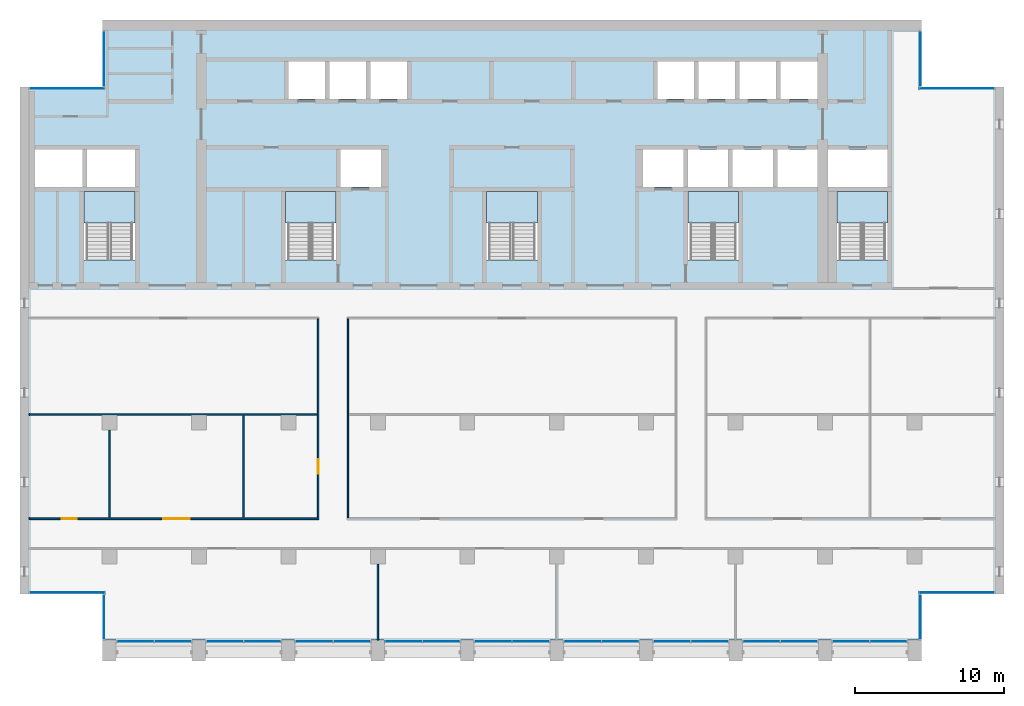
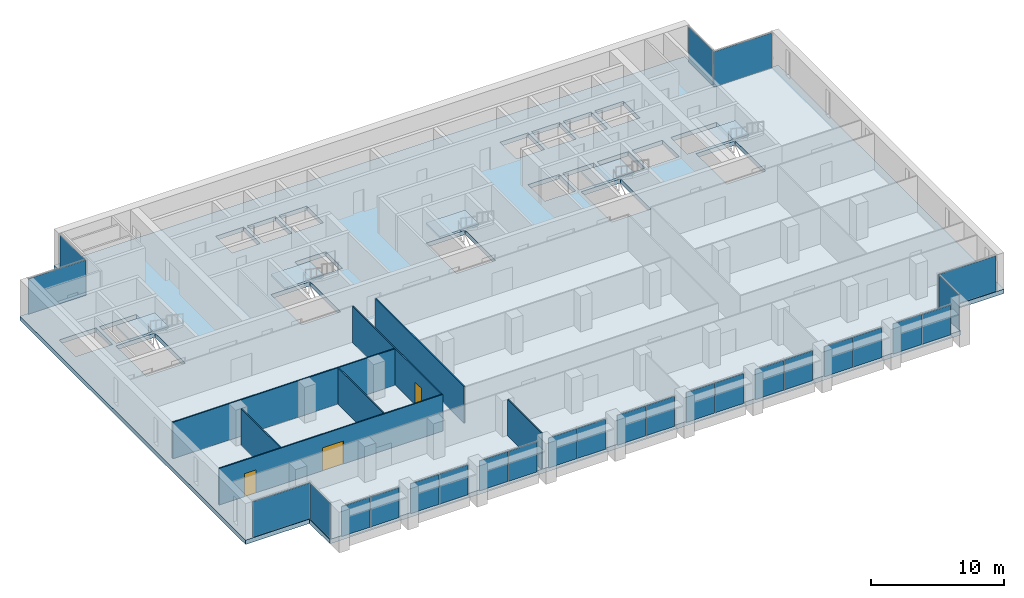
# One storey, part 7 of 17: 26 plates, 7 walls, 6 slabs, 3 doors, 3 openings, 22 elements without a shape of their own.
"""IFC4 building model written with IfcOpenShell, lengths in metres."""

from ifc_helpers import new_model, si_unit, direction, frame, frame_2d, origin, origin_2d, place, context, subcontext, project, spatial, polyline, rectangle, outline, extrude, material, layer, layer_set, type_object, element, fill, aggregate, save


model = new_model("IFC4")

# Units and contexts
model_context = context("Model", 3, precision=1e-05, world=origin(), true_north=direction((0.0, 1.0)))
body_context = subcontext(model_context, "Body", "Model", "MODEL_VIEW")
ifc_project = project(units=[si_unit("LENGTHUNIT", "METRE"), si_unit("AREAUNIT", "SQUARE_METRE"), si_unit("VOLUMEUNIT", "CUBIC_METRE"), si_unit("PLANEANGLEUNIT", "RADIAN"), si_unit("MASSUNIT", "GRAM", prefix="KILO")], contexts=[model_context])

# Site, building, storey
site_placement = place(None, origin())
site = spatial("IfcSite", under=ifc_project, at=site_placement, CompositionType="ELEMENT")
building_placement = place(site_placement, origin())
building = spatial("IfcBuilding", under=site, at=building_placement, Name="Calvaro Tower", CompositionType="ELEMENT")
storey_placement = place(building_placement, frame((0.0, 0.0, 211.75)))
storey = spatial("IfcBuildingStorey", under=building, at=storey_placement, Name="L53", CompositionType="ELEMENT", Elevation=211.75)

# Slab
ifc_material_1 = material(Name="Concrete C40/50", Category="concrete")
ifc_layer_1 = layer(ifc_material_1, 0.39990234375)
ifc_layer_set_1 = layer_set([ifc_layer_1], Name="Concrete C40/50")
slab_type_1 = type_object("IfcSlabType", Name="Floor slab 400 C40/50", PredefinedType="FLOOR", material=ifc_layer_set_1)
slab_1_placement = place(storey_placement, frame((0.0, 0.0, -0.39990234375)))
element("IfcSlab", 1, at=slab_1_placement, inside=storey, type_object=slab_type_1, Name="Floor slab", PredefinedType="FLOOR", context=body_context, shape_type="SweptSolid", body=[
    extrude(outline(polyline([(66.449951171875, 7.5), (66.449951171875, 4.39990234375), (11.550048828125, 4.39990234375), (11.550048828125, 7.5), (6.0, 7.5), (6.0, 41.5), (11.550048828125, 41.5), (11.550048828125, 46.0), (66.449951171875, 46.0), (66.449951171875, 41.5), (72.0, 41.5), (72.0, 7.5), (66.449951171875, 7.5)]), holes=[polyline([(10.300048828125, 29.909912109375), (10.300048828125, 34.5), (12.0, 34.5), (13.699951171875, 34.5), (13.699951171875, 29.909912109375), (12.0, 29.909912109375), (10.300048828125, 29.909912109375)]), polyline([(23.800048828125, 29.909912109375), (23.800048828125, 34.5), (25.5, 34.5), (27.199951171875, 34.5), (27.199951171875, 29.909912109375), (25.5, 29.909912109375), (23.800048828125, 29.909912109375)]), polyline([(37.300048828125, 29.909912109375), (37.300048828125, 34.5), (39.0, 34.5), (40.699951171875, 34.5), (40.699951171875, 29.909912109375), (39.0, 29.909912109375), (37.300048828125, 29.909912109375)]), polyline([(50.800048828125, 29.909912109375), (50.800048828125, 34.5), (52.5, 34.5), (54.199951171875, 34.5), (54.199951171875, 29.909912109375), (52.5, 29.909912109375), (50.800048828125, 29.909912109375)]), polyline([(60.800048828125, 29.909912109375), (60.800048828125, 34.5), (62.5, 34.5), (64.199951171875, 34.5), (64.199951171875, 29.909912109375), (62.5, 29.909912109375), (60.800048828125, 29.909912109375)]), polyline([(50.800048828125, 34.800048828125), (53.5, 34.800048828125), (53.5, 37.300048828125), (50.800048828125, 37.300048828125), (50.800048828125, 34.800048828125)]), polyline([(53.800048828125, 34.800048828125), (56.5, 34.800048828125), (56.5, 37.300048828125), (53.800048828125, 37.300048828125), (53.800048828125, 34.800048828125)]), polyline([(56.800048828125, 34.800048828125), (59.5, 34.800048828125), (59.5, 37.300048828125), (56.800048828125, 37.300048828125), (56.800048828125, 34.800048828125)]), polyline([(24.0, 40.699951171875), (26.449951171875, 40.699951171875), (26.449951171875, 43.199951171875), (24.0, 43.199951171875), (24.0, 40.699951171875)]), polyline([(26.75, 40.699951171875), (29.199951171875, 40.699951171875), (29.199951171875, 43.199951171875), (26.75, 43.199951171875), (26.75, 40.699951171875)]), polyline([(29.5, 40.699951171875), (31.949951171875, 40.699951171875), (31.949951171875, 43.199951171875), (29.5, 43.199951171875), (29.5, 40.699951171875)]), polyline([(48.75, 40.699951171875), (51.199951171875, 40.699951171875), (51.199951171875, 43.199951171875), (48.75, 43.199951171875), (48.75, 40.699951171875)]), polyline([(51.5, 40.699951171875), (53.949951171875, 40.699951171875), (53.949951171875, 43.199951171875), (51.5, 43.199951171875), (51.5, 40.699951171875)]), polyline([(54.25, 40.699951171875), (56.699951171875, 40.699951171875), (56.699951171875, 43.199951171875), (54.25, 43.199951171875), (54.25, 40.699951171875)]), polyline([(57.0, 40.699951171875), (59.5, 40.699951171875), (59.5, 43.199951171875), (57.0, 43.199951171875), (57.0, 40.699951171875)]), polyline([(7.0, 34.800048828125), (10.199951171875, 34.800048828125), (10.199951171875, 37.300048828125), (7.0, 37.300048828125), (7.0, 34.800048828125)]), polyline([(10.5, 34.800048828125), (13.699951171875, 34.800048828125), (13.699951171875, 37.300048828125), (10.5, 37.300048828125), (10.5, 34.800048828125)]), polyline([(60.199951171875, 34.800048828125), (64.199951171875, 34.800048828125), (64.199951171875, 37.300048828125), (60.199951171875, 37.300048828125), (60.199951171875, 34.800048828125)]), polyline([(27.5, 34.800048828125), (30.199951171875, 34.800048828125), (30.199951171875, 37.300048828125), (27.5, 37.300048828125), (27.5, 34.800048828125)]), polyline([(47.800048828125, 34.800048828125), (50.5, 34.800048828125), (50.5, 37.300048828125), (47.800048828125, 37.300048828125), (47.800048828125, 34.800048828125)])]), origin(), (0.0, 0.0, 1.0), 0.39990234375),
])

# Curtain wall, plates
ifc_material_2 = material(Name="Anodised aluminium", Category="aluminium")
curtain_wall_type = type_object("IfcCurtainWallType", Name="Office curtain wall, upper zone", PredefinedType="NOTDEFINED", material=ifc_material_2)
curtain_wall_1_placement = place(storey_placement, origin())
curtain_wall_1 = element("IfcCurtainWall", 2, at=curtain_wall_1_placement, inside=storey, type_object=curtain_wall_type, Name="CW3 south curtain wall", PredefinedType="NOTDEFINED")
ifc_material_3 = material(Name="Glass", Category="glass")
ifc_layer_2 = layer(ifc_material_3, 0.035888671875)
ifc_layer_set_2 = layer_set([ifc_layer_2], Name="Glass")
plate_type = type_object("IfcPlateType", Name="Glass panel S3 36", PredefinedType="CURTAIN_PANEL", material=ifc_layer_set_2)
plate_1_placement = place(storey_placement, frame((13.739990234375, 4.31005859375, 0.0), z_axis=(0.0, 0.0, 1.0), x_axis=(1.0, 0.0, 0.0)))
plate_1 = element("IfcPlate", 3, at=plate_1_placement, type_object=plate_type, Name="CW3 glass panel 1.1", PredefinedType="CURTAIN_PANEL", context=body_context, shape_type="SweptSolid", body=[
    extrude(rectangle(XDim=2.4599609375, YDim=0.035888671875, at=origin_2d()), origin(), (0.0, 0.0, 1.0), 2.75),
])
plate_2_placement = place(storey_placement, frame((16.260009765625, 4.31005859375, 0.0), z_axis=(0.0, 0.0, 1.0), x_axis=(1.0, 0.0, 0.0)))
plate_2 = element("IfcPlate", 4, at=plate_2_placement, type_object=plate_type, Name="CW3 glass panel 2.1", PredefinedType="CURTAIN_PANEL", context=body_context, shape_type="SweptSolid", body=[
    extrude(rectangle(XDim=2.4599609375, YDim=0.035888671875, at=origin_2d()), origin(), (0.0, 0.0, 1.0), 2.75),
])
aggregate(curtain_wall_1, [plate_1, plate_2])

curtain_wall_2_placement = place(storey_placement, origin())
curtain_wall_2 = element("IfcCurtainWall", 5, at=curtain_wall_2_placement, inside=storey, type_object=curtain_wall_type, Name="CW3 south curtain wall", PredefinedType="NOTDEFINED")
plate_3_placement = place(storey_placement, frame((19.739990234375, 4.31005859375, 0.0), z_axis=(0.0, 0.0, 1.0), x_axis=(1.0, 0.0, 0.0)))
plate_3 = element("IfcPlate", 6, at=plate_3_placement, type_object=plate_type, Name="CW3 glass panel 1.1", PredefinedType="CURTAIN_PANEL", context=body_context, shape_type="SweptSolid", body=[
    extrude(rectangle(XDim=2.4599609375, YDim=0.035888671875, at=origin_2d()), origin(), (0.0, 0.0, 1.0), 2.75),
])
plate_4_placement = place(storey_placement, frame((22.260009765625, 4.31005859375, 0.0), z_axis=(0.0, 0.0, 1.0), x_axis=(1.0, 0.0, 0.0)))
plate_4 = element("IfcPlate", 7, at=plate_4_placement, type_object=plate_type, Name="CW3 glass panel 2.1", PredefinedType="CURTAIN_PANEL", context=body_context, shape_type="SweptSolid", body=[
    extrude(rectangle(XDim=2.4599609375, YDim=0.035888671875, at=origin_2d()), origin(), (0.0, 0.0, 1.0), 2.75),
])
aggregate(curtain_wall_2, [plate_3, plate_4])

curtain_wall_3_placement = place(storey_placement, origin())
curtain_wall_3 = element("IfcCurtainWall", 8, at=curtain_wall_3_placement, inside=storey, type_object=curtain_wall_type, Name="CW3 south curtain wall", PredefinedType="NOTDEFINED")
plate_5_placement = place(storey_placement, frame((25.739990234375, 4.31005859375, 0.0), z_axis=(0.0, 0.0, 1.0), x_axis=(1.0, 0.0, 0.0)))
plate_5 = element("IfcPlate", 9, at=plate_5_placement, type_object=plate_type, Name="CW3 glass panel 1.1", PredefinedType="CURTAIN_PANEL", context=body_context, shape_type="SweptSolid", body=[
    extrude(rectangle(XDim=2.4599609375, YDim=0.035888671875, at=origin_2d()), origin(), (0.0, 0.0, 1.0), 2.75),
])
plate_6_placement = place(storey_placement, frame((28.260009765625, 4.31005859375, 0.0), z_axis=(0.0, 0.0, 1.0), x_axis=(1.0, 0.0, 0.0)))
plate_6 = element("IfcPlate", 10, at=plate_6_placement, type_object=plate_type, Name="CW3 glass panel 2.1", PredefinedType="CURTAIN_PANEL", context=body_context, shape_type="SweptSolid", body=[
    extrude(rectangle(XDim=2.4599609375, YDim=0.035888671875, at=origin_2d()), origin(), (0.0, 0.0, 1.0), 2.75),
])
aggregate(curtain_wall_3, [plate_5, plate_6])

curtain_wall_4_placement = place(storey_placement, origin())
curtain_wall_4 = element("IfcCurtainWall", 11, at=curtain_wall_4_placement, inside=storey, type_object=curtain_wall_type, Name="CW3 south curtain wall", PredefinedType="NOTDEFINED")
plate_7_placement = place(storey_placement, frame((31.739990234375, 4.31005859375, 0.0), z_axis=(0.0, 0.0, 1.0), x_axis=(1.0, 0.0, 0.0)))
plate_7 = element("IfcPlate", 12, at=plate_7_placement, type_object=plate_type, Name="CW3 glass panel 1.1", PredefinedType="CURTAIN_PANEL", context=body_context, shape_type="SweptSolid", body=[
    extrude(rectangle(XDim=2.4599609375, YDim=0.035888671875, at=origin_2d()), origin(), (0.0, 0.0, 1.0), 2.75),
])
plate_8_placement = place(storey_placement, frame((34.260009765625, 4.31005859375, 0.0), z_axis=(0.0, 0.0, 1.0), x_axis=(1.0, 0.0, 0.0)))
plate_8 = element("IfcPlate", 13, at=plate_8_placement, type_object=plate_type, Name="CW3 glass panel 2.1", PredefinedType="CURTAIN_PANEL", context=body_context, shape_type="SweptSolid", body=[
    extrude(rectangle(XDim=2.4599609375, YDim=0.035888671875, at=origin_2d()), origin(), (0.0, 0.0, 1.0), 2.75),
])
aggregate(curtain_wall_4, [plate_7, plate_8])

curtain_wall_5_placement = place(storey_placement, origin())
curtain_wall_5 = element("IfcCurtainWall", 14, at=curtain_wall_5_placement, inside=storey, type_object=curtain_wall_type, Name="CW3 south curtain wall", PredefinedType="NOTDEFINED")
plate_9_placement = place(storey_placement, frame((37.739990234375, 4.31005859375, 0.0), z_axis=(0.0, 0.0, 1.0), x_axis=(1.0, 0.0, 0.0)))
plate_9 = element("IfcPlate", 15, at=plate_9_placement, type_object=plate_type, Name="CW3 glass panel 1.1", PredefinedType="CURTAIN_PANEL", context=body_context, shape_type="SweptSolid", body=[
    extrude(rectangle(XDim=2.4599609375, YDim=0.035888671875, at=origin_2d()), origin(), (0.0, 0.0, 1.0), 2.75),
])
plate_10_placement = place(storey_placement, frame((40.260009765625, 4.31005859375, 0.0), z_axis=(0.0, 0.0, 1.0), x_axis=(1.0, 0.0, 0.0)))
plate_10 = element("IfcPlate", 16, at=plate_10_placement, type_object=plate_type, Name="CW3 glass panel 2.1", PredefinedType="CURTAIN_PANEL", context=body_context, shape_type="SweptSolid", body=[
    extrude(rectangle(XDim=2.4599609375, YDim=0.035888671875, at=origin_2d()), origin(), (0.0, 0.0, 1.0), 2.75),
])
aggregate(curtain_wall_5, [plate_9, plate_10])

curtain_wall_6_placement = place(storey_placement, origin())
curtain_wall_6 = element("IfcCurtainWall", 17, at=curtain_wall_6_placement, inside=storey, type_object=curtain_wall_type, Name="CW3 south curtain wall", PredefinedType="NOTDEFINED")
plate_11_placement = place(storey_placement, frame((43.739990234375, 4.31005859375, 0.0), z_axis=(0.0, 0.0, 1.0), x_axis=(1.0, 0.0, 0.0)))
plate_11 = element("IfcPlate", 18, at=plate_11_placement, type_object=plate_type, Name="CW3 glass panel 1.1", PredefinedType="CURTAIN_PANEL", context=body_context, shape_type="SweptSolid", body=[
    extrude(rectangle(XDim=2.4599609375, YDim=0.035888671875, at=origin_2d()), origin(), (0.0, 0.0, 1.0), 2.75),
])
plate_12_placement = place(storey_placement, frame((46.260009765625, 4.31005859375, 0.0), z_axis=(0.0, 0.0, 1.0), x_axis=(1.0, 0.0, 0.0)))
plate_12 = element("IfcPlate", 19, at=plate_12_placement, type_object=plate_type, Name="CW3 glass panel 2.1", PredefinedType="CURTAIN_PANEL", context=body_context, shape_type="SweptSolid", body=[
    extrude(rectangle(XDim=2.4599609375, YDim=0.035888671875, at=origin_2d()), origin(), (0.0, 0.0, 1.0), 2.75),
])
aggregate(curtain_wall_6, [plate_11, plate_12])

curtain_wall_7_placement = place(storey_placement, origin())
curtain_wall_7 = element("IfcCurtainWall", 20, at=curtain_wall_7_placement, inside=storey, type_object=curtain_wall_type, Name="CW3 south curtain wall", PredefinedType="NOTDEFINED")
plate_13_placement = place(storey_placement, frame((49.739990234375, 4.31005859375, 0.0), z_axis=(0.0, 0.0, 1.0), x_axis=(1.0, 0.0, 0.0)))
plate_13 = element("IfcPlate", 21, at=plate_13_placement, type_object=plate_type, Name="CW3 glass panel 1.1", PredefinedType="CURTAIN_PANEL", context=body_context, shape_type="SweptSolid", body=[
    extrude(rectangle(XDim=2.4599609375, YDim=0.035888671875, at=origin_2d()), origin(), (0.0, 0.0, 1.0), 2.75),
])
plate_14_placement = place(storey_placement, frame((52.260009765625, 4.31005859375, 0.0), z_axis=(0.0, 0.0, 1.0), x_axis=(1.0, 0.0, 0.0)))
plate_14 = element("IfcPlate", 22, at=plate_14_placement, type_object=plate_type, Name="CW3 glass panel 2.1", PredefinedType="CURTAIN_PANEL", context=body_context, shape_type="SweptSolid", body=[
    extrude(rectangle(XDim=2.4599609375, YDim=0.035888671875, at=origin_2d()), origin(), (0.0, 0.0, 1.0), 2.75),
])
aggregate(curtain_wall_7, [plate_13, plate_14])

curtain_wall_8_placement = place(storey_placement, origin())
curtain_wall_8 = element("IfcCurtainWall", 23, at=curtain_wall_8_placement, inside=storey, type_object=curtain_wall_type, Name="CW3 south curtain wall", PredefinedType="NOTDEFINED")
plate_15_placement = place(storey_placement, frame((55.739990234375, 4.31005859375, 0.0), z_axis=(0.0, 0.0, 1.0), x_axis=(1.0, 0.0, 0.0)))
plate_15 = element("IfcPlate", 24, at=plate_15_placement, type_object=plate_type, Name="CW3 glass panel 1.1", PredefinedType="CURTAIN_PANEL", context=body_context, shape_type="SweptSolid", body=[
    extrude(rectangle(XDim=2.4599609375, YDim=0.035888671875, at=origin_2d()), origin(), (0.0, 0.0, 1.0), 2.75),
])
plate_16_placement = place(storey_placement, frame((58.260009765625, 4.31005859375, 0.0), z_axis=(0.0, 0.0, 1.0), x_axis=(1.0, 0.0, 0.0)))
plate_16 = element("IfcPlate", 25, at=plate_16_placement, type_object=plate_type, Name="CW3 glass panel 2.1", PredefinedType="CURTAIN_PANEL", context=body_context, shape_type="SweptSolid", body=[
    extrude(rectangle(XDim=2.4599609375, YDim=0.035888671875, at=origin_2d()), origin(), (0.0, 0.0, 1.0), 2.75),
])
aggregate(curtain_wall_8, [plate_15, plate_16])

curtain_wall_9_placement = place(storey_placement, origin())
curtain_wall_9 = element("IfcCurtainWall", 26, at=curtain_wall_9_placement, inside=storey, type_object=curtain_wall_type, Name="CW3 south curtain wall", PredefinedType="NOTDEFINED")
plate_17_placement = place(storey_placement, frame((61.739990234375, 4.31005859375, 0.0), z_axis=(0.0, 0.0, 1.0), x_axis=(1.0, 0.0, 0.0)))
plate_17 = element("IfcPlate", 27, at=plate_17_placement, type_object=plate_type, Name="CW3 glass panel 1.1", PredefinedType="CURTAIN_PANEL", context=body_context, shape_type="SweptSolid", body=[
    extrude(rectangle(XDim=2.4599609375, YDim=0.035888671875, at=origin_2d()), origin(), (0.0, 0.0, 1.0), 2.75),
])
plate_18_placement = place(storey_placement, frame((64.260009765625, 4.31005859375, 0.0), z_axis=(0.0, 0.0, 1.0), x_axis=(1.0, 0.0, 0.0)))
plate_18 = element("IfcPlate", 28, at=plate_18_placement, type_object=plate_type, Name="CW3 glass panel 2.1", PredefinedType="CURTAIN_PANEL", context=body_context, shape_type="SweptSolid", body=[
    extrude(rectangle(XDim=2.4599609375, YDim=0.035888671875, at=origin_2d()), origin(), (0.0, 0.0, 1.0), 2.75),
])
aggregate(curtain_wall_9, [plate_17, plate_18])

# Curtain wall, plate
curtain_wall_10_placement = place(storey_placement, origin())
curtain_wall_10 = element("IfcCurtainWall", 29, at=curtain_wall_10_placement, inside=storey, type_object=curtain_wall_type, Name="CW3 corner curtain wall", PredefinedType="NOTDEFINED")
plate_19_placement = place(storey_placement, frame((11.639892578125, 5.949951171875, 0.0), z_axis=(0.0, 0.0, 1.0), x_axis=(0.0, 1.0, 0.0)))
plate_19 = element("IfcPlate", 30, at=plate_19_placement, type_object=plate_type, Name="CW3 glass panel 1.1", PredefinedType="CURTAIN_PANEL", context=body_context, shape_type="SweptSolid", body=[
    extrude(rectangle(XDim=2.97998046875, YDim=0.035888671875, at=origin_2d()), origin(), (0.0, 0.0, 1.0), 3.25),
])
aggregate(curtain_wall_10, [plate_19])

curtain_wall_11_placement = place(storey_placement, origin())
curtain_wall_11 = element("IfcCurtainWall", 31, at=curtain_wall_11_placement, inside=storey, type_object=curtain_wall_type, Name="CW3 corner curtain wall", PredefinedType="NOTDEFINED")
plate_20_placement = place(storey_placement, frame((9.1650390625, 7.590087890625, 0.0), z_axis=(0.0, 0.0, 1.0), x_axis=(1.0, 0.0, 0.0)))
plate_20 = element("IfcPlate", 32, at=plate_20_placement, type_object=plate_type, Name="CW3 glass panel 1.1", PredefinedType="CURTAIN_PANEL", context=body_context, shape_type="SweptSolid", body=[
    extrude(rectangle(XDim=5.010009765625, YDim=0.035888671875, at=origin_2d()), origin(), (0.0, 0.0, 1.0), 3.25),
])
aggregate(curtain_wall_11, [plate_20])

curtain_wall_12_placement = place(storey_placement, origin())
curtain_wall_12 = element("IfcCurtainWall", 33, at=curtain_wall_12_placement, inside=storey, type_object=curtain_wall_type, Name="CW3 corner curtain wall", PredefinedType="NOTDEFINED")
plate_21_placement = place(storey_placement, frame((11.639892578125, 43.39990234375, 0.0), z_axis=(0.0, 0.0, 1.0), x_axis=(0.0, 1.0, 0.0)))
plate_21 = element("IfcPlate", 34, at=plate_21_placement, type_object=plate_type, Name="CW3 glass panel 1.1", PredefinedType="CURTAIN_PANEL", context=body_context, shape_type="SweptSolid", body=[
    extrude(rectangle(XDim=3.679931640625, YDim=0.035888671875, at=origin_2d()), origin(), (0.0, 0.0, 1.0), 3.25),
])
aggregate(curtain_wall_12, [plate_21])

curtain_wall_13_placement = place(storey_placement, origin())
curtain_wall_13 = element("IfcCurtainWall", 35, at=curtain_wall_13_placement, inside=storey, type_object=curtain_wall_type, Name="CW3 corner curtain wall", PredefinedType="NOTDEFINED")
plate_22_placement = place(storey_placement, frame((9.1650390625, 41.409912109375, 0.0), z_axis=(0.0, 0.0, 1.0), x_axis=(1.0, 0.0, 0.0)))
plate_22 = element("IfcPlate", 36, at=plate_22_placement, type_object=plate_type, Name="CW3 glass panel 1.1", PredefinedType="CURTAIN_PANEL", context=body_context, shape_type="SweptSolid", body=[
    extrude(rectangle(XDim=5.010009765625, YDim=0.035888671875, at=origin_2d()), origin(), (0.0, 0.0, 1.0), 3.25),
])
aggregate(curtain_wall_13, [plate_22])

curtain_wall_14_placement = place(storey_placement, origin())
curtain_wall_14 = element("IfcCurtainWall", 37, at=curtain_wall_14_placement, inside=storey, type_object=curtain_wall_type, Name="CW3 corner curtain wall", PredefinedType="NOTDEFINED")
plate_23_placement = place(storey_placement, frame((66.360107421875, 5.949951171875, 0.0), z_axis=(0.0, 0.0, 1.0), x_axis=(0.0, 1.0, 0.0)))
plate_23 = element("IfcPlate", 38, at=plate_23_placement, type_object=plate_type, Name="CW3 glass panel 1.1", PredefinedType="CURTAIN_PANEL", context=body_context, shape_type="SweptSolid", body=[
    extrude(rectangle(XDim=2.97998046875, YDim=0.035888671875, at=origin_2d()), origin(), (0.0, 0.0, 1.0), 3.25),
])
aggregate(curtain_wall_14, [plate_23])

curtain_wall_15_placement = place(storey_placement, origin())
curtain_wall_15 = element("IfcCurtainWall", 39, at=curtain_wall_15_placement, inside=storey, type_object=curtain_wall_type, Name="CW3 corner curtain wall", PredefinedType="NOTDEFINED")
plate_24_placement = place(storey_placement, frame((68.8349609375, 7.590087890625, 0.0), z_axis=(0.0, 0.0, 1.0), x_axis=(1.0, 0.0, 0.0)))
plate_24 = element("IfcPlate", 40, at=plate_24_placement, type_object=plate_type, Name="CW3 glass panel 1.1", PredefinedType="CURTAIN_PANEL", context=body_context, shape_type="SweptSolid", body=[
    extrude(rectangle(XDim=5.010009765625, YDim=0.035888671875, at=origin_2d()), origin(), (0.0, 0.0, 1.0), 3.25),
])
aggregate(curtain_wall_15, [plate_24])

curtain_wall_16_placement = place(storey_placement, origin())
curtain_wall_16 = element("IfcCurtainWall", 41, at=curtain_wall_16_placement, inside=storey, type_object=curtain_wall_type, Name="CW3 corner curtain wall", PredefinedType="NOTDEFINED")
plate_25_placement = place(storey_placement, frame((66.360107421875, 43.39990234375, 0.0), z_axis=(0.0, 0.0, 1.0), x_axis=(0.0, 1.0, 0.0)))
plate_25 = element("IfcPlate", 42, at=plate_25_placement, type_object=plate_type, Name="CW3 glass panel 1.1", PredefinedType="CURTAIN_PANEL", context=body_context, shape_type="SweptSolid", body=[
    extrude(rectangle(XDim=3.679931640625, YDim=0.035888671875, at=origin_2d()), origin(), (0.0, 0.0, 1.0), 3.25),
])
aggregate(curtain_wall_16, [plate_25])

curtain_wall_17_placement = place(storey_placement, origin())
curtain_wall_17 = element("IfcCurtainWall", 43, at=curtain_wall_17_placement, inside=storey, type_object=curtain_wall_type, Name="CW3 corner curtain wall", PredefinedType="NOTDEFINED")
plate_26_placement = place(storey_placement, frame((68.8349609375, 41.409912109375, 0.0), z_axis=(0.0, 0.0, 1.0), x_axis=(1.0, 0.0, 0.0)))
plate_26 = element("IfcPlate", 44, at=plate_26_placement, type_object=plate_type, Name="CW3 glass panel 1.1", PredefinedType="CURTAIN_PANEL", context=body_context, shape_type="SweptSolid", body=[
    extrude(rectangle(XDim=5.010009765625, YDim=0.035888671875, at=origin_2d()), origin(), (0.0, 0.0, 1.0), 3.25),
])
aggregate(curtain_wall_17, [plate_26])

# Stair, slab
ifc_material_4 = material(Name="Concrete C40/50", Category="concrete")
stair_type = type_object("IfcStairType", Name="Exit stair 1400 2 flights", PredefinedType="HALF_TURN_STAIR", material=ifc_material_4)
stair_1_placement = place(storey_placement, origin())
stair_1 = element("IfcStair", 45, at=stair_1_placement, inside=storey, type_object=stair_type, Name="Exit stair S1", PredefinedType="HALF_TURN_STAIR")
ifc_material_5 = material(Name="Concrete C40/50", Category="concrete")
ifc_layer_3 = layer(ifc_material_5, 0.199951171875)
ifc_layer_set_3 = layer_set([ifc_layer_3], Name="Concrete C40/50")
slab_type_2 = type_object("IfcSlabType", Name="Stair landing", PredefinedType="LANDING", material=ifc_layer_set_3)
slab_2_placement = place(storey_placement, frame((0.0, 0.0, 1.675048828125)))
slab_2 = element("IfcSlab", 46, at=slab_2_placement, type_object=slab_type_2, Name="Exit stair 1, landing 1", PredefinedType="LANDING", context=body_context, shape_type="SweptSolid", body=[
    extrude(outline(polyline([(11.89990234375, 32.389892578125), (10.5, 32.389892578125), (10.5, 32.39990234375), (10.300048828125, 32.39990234375), (10.300048828125, 34.5), (10.5, 34.5), (11.89990234375, 34.5), (12.10009765625, 34.5), (13.5, 34.5), (13.699951171875, 34.5), (13.699951171875, 32.39990234375), (13.5, 32.39990234375), (13.5, 32.389892578125), (12.10009765625, 32.389892578125), (12.10009765625, 32.39990234375), (11.89990234375, 32.39990234375), (11.89990234375, 32.389892578125)])), origin(), (0.0, 0.0, 1.0), 0.199951171875),
])
aggregate(stair_1, [slab_2])

stair_2_placement = place(storey_placement, origin())
stair_2 = element("IfcStair", 47, at=stair_2_placement, inside=storey, type_object=stair_type, Name="Exit stair S2", PredefinedType="HALF_TURN_STAIR")
slab_3_placement = place(storey_placement, frame((0.0, 0.0, 1.675048828125)))
slab_3 = element("IfcSlab", 48, at=slab_3_placement, type_object=slab_type_2, Name="Exit stair 2, landing 1", PredefinedType="LANDING", context=body_context, shape_type="SweptSolid", body=[
    extrude(outline(polyline([(25.39990234375, 32.389892578125), (24.0, 32.389892578125), (24.0, 32.39990234375), (23.800048828125, 32.39990234375), (23.800048828125, 34.5), (24.0, 34.5), (25.39990234375, 34.5), (25.60009765625, 34.5), (27.0, 34.5), (27.199951171875, 34.5), (27.199951171875, 32.39990234375), (27.0, 32.39990234375), (27.0, 32.389892578125), (25.60009765625, 32.389892578125), (25.60009765625, 32.39990234375), (25.39990234375, 32.39990234375), (25.39990234375, 32.389892578125)])), origin(), (0.0, 0.0, 1.0), 0.199951171875),
])
aggregate(stair_2, [slab_3])

stair_3_placement = place(storey_placement, origin())
stair_3 = element("IfcStair", 49, at=stair_3_placement, inside=storey, type_object=stair_type, Name="Exit stair S3", PredefinedType="HALF_TURN_STAIR")
slab_4_placement = place(storey_placement, frame((0.0, 0.0, 1.675048828125)))
slab_4 = element("IfcSlab", 50, at=slab_4_placement, type_object=slab_type_2, Name="Exit stair 3, landing 1", PredefinedType="LANDING", context=body_context, shape_type="SweptSolid", body=[
    extrude(outline(polyline([(38.89990234375, 32.389892578125), (37.5, 32.389892578125), (37.5, 32.39990234375), (37.300048828125, 32.39990234375), (37.300048828125, 34.5), (37.5, 34.5), (38.89990234375, 34.5), (39.10009765625, 34.5), (40.5, 34.5), (40.699951171875, 34.5), (40.699951171875, 32.39990234375), (40.5, 32.39990234375), (40.5, 32.389892578125), (39.10009765625, 32.389892578125), (39.10009765625, 32.39990234375), (38.89990234375, 32.39990234375), (38.89990234375, 32.389892578125)])), origin(), (0.0, 0.0, 1.0), 0.199951171875),
])
aggregate(stair_3, [slab_4])

stair_4_placement = place(storey_placement, origin())
stair_4 = element("IfcStair", 51, at=stair_4_placement, inside=storey, type_object=stair_type, Name="Exit stair S4", PredefinedType="HALF_TURN_STAIR")
slab_5_placement = place(storey_placement, frame((0.0, 0.0, 1.675048828125)))
slab_5 = element("IfcSlab", 52, at=slab_5_placement, type_object=slab_type_2, Name="Exit stair 4, landing 1", PredefinedType="LANDING", context=body_context, shape_type="SweptSolid", body=[
    extrude(outline(polyline([(52.39990234375, 32.389892578125), (51.0, 32.389892578125), (51.0, 32.39990234375), (50.800048828125, 32.39990234375), (50.800048828125, 34.5), (51.0, 34.5), (52.39990234375, 34.5), (52.60009765625, 34.5), (54.0, 34.5), (54.199951171875, 34.5), (54.199951171875, 32.39990234375), (54.0, 32.39990234375), (54.0, 32.389892578125), (52.60009765625, 32.389892578125), (52.60009765625, 32.39990234375), (52.39990234375, 32.39990234375), (52.39990234375, 32.389892578125)])), origin(), (0.0, 0.0, 1.0), 0.199951171875),
])
aggregate(stair_4, [slab_5])

stair_5_placement = place(storey_placement, origin())
stair_5 = element("IfcStair", 53, at=stair_5_placement, inside=storey, type_object=stair_type, Name="Exit stair S5", PredefinedType="HALF_TURN_STAIR")
slab_6_placement = place(storey_placement, frame((0.0, 0.0, 1.675048828125)))
slab_6 = element("IfcSlab", 54, at=slab_6_placement, type_object=slab_type_2, Name="Exit stair 5, landing 1", PredefinedType="LANDING", context=body_context, shape_type="SweptSolid", body=[
    extrude(outline(polyline([(62.39990234375, 32.389892578125), (61.0, 32.389892578125), (61.0, 32.39990234375), (60.800048828125, 32.39990234375), (60.800048828125, 34.5), (61.0, 34.5), (62.39990234375, 34.5), (62.60009765625, 34.5), (64.0, 34.5), (64.199951171875, 34.5), (64.199951171875, 32.39990234375), (64.0, 32.39990234375), (64.0, 32.389892578125), (62.60009765625, 32.389892578125), (62.60009765625, 32.39990234375), (62.39990234375, 32.39990234375), (62.39990234375, 32.389892578125)])), origin(), (0.0, 0.0, 1.0), 0.199951171875),
])
aggregate(stair_5, [slab_6])

# Wall, openings, doors
ifc_material_6 = material(Name="Plasterboard on steel studs", Category="steel")
ifc_layer_4 = layer(ifc_material_6, 0.10009765625)
ifc_layer_set_4 = layer_set([ifc_layer_4], Name="Plasterboard on steel studs")
wall_type = type_object("IfcWallType", Name="Partition 100", PredefinedType="PARTITIONING", material=ifc_layer_set_4)
wall_1_placement = place(storey_placement, frame((6.60009765625, 12.550048828125, 0.0), z_axis=(0.0, 0.0, 1.0), x_axis=(1.0, 0.0, 0.0)))
wall_1 = element("IfcWall", 55, at=wall_1_placement, inside=storey, type_object=wall_type, Name="Partition T30.W002", PredefinedType="PARTITIONING", context=body_context, shape_type="SweptSolid", body=[
    extrude(rectangle(XDim=19.449951171875, YDim=0.10009765625, at=frame_2d((9.72509765625, 0.0))), origin(), (0.0, 0.0, 1.0), 3.35009765625),
])
opening_1_placement = place(wall_1_placement, frame((2.199951171875, 0.0, 0.0)))
opening_1 = element("IfcOpeningElement", 56, at=opening_1_placement, cuts=wall_1, Name="Opening T30.005", PredefinedType="OPENING", context=body_context, shape_type="SweptSolid", body=[
    extrude(rectangle(XDim=1.0, YDim=2.10009765625, at=frame_2d((0.5, 1.050048828125))), frame((0.0, 0.06005859375, 0.0), z_axis=(0.0, -1.0, 0.0), x_axis=(1.0, 0.0, 0.0)), (0.0, 0.0, 1.0), 0.1201171875),
])
opening_2_placement = place(wall_1_placement, frame((9.0, 0.0, 0.0)))
opening_2 = element("IfcOpeningElement", 57, at=opening_2_placement, cuts=wall_1, Name="Opening T30.006", PredefinedType="OPENING", context=body_context, shape_type="SweptSolid", body=[
    extrude(rectangle(XDim=1.800048828125, YDim=2.10009765625, at=frame_2d((0.89990234375, 1.050048828125))), frame((0.0, 0.06005859375, 0.0), z_axis=(0.0, -1.0, 0.0), x_axis=(1.0, 0.0, 0.0)), (0.0, 0.0, 1.0), 0.1201171875),
])
ifc_material_7 = material(Name="Timber", Category="wood")
door_type_1 = type_object("IfcDoorType", Name="Internal double door 1800 x 2100", OperationType="DOUBLE_DOOR_SINGLE_SWING", PredefinedType="DOOR", material=ifc_material_7)
door_1_placement = place(opening_2_placement, origin())
door_1 = element("IfcDoor", 58, at=door_1_placement, inside=storey, type_object=door_type_1, Name="Door T30.006", OperationType="DOUBLE_DOOR_SINGLE_SWING", OverallHeight=2.10009765625, OverallWidth=1.800048828125, PredefinedType="DOOR", context=body_context, shape_type="SweptSolid", body=[
    extrude(rectangle(XDim=1.800048828125, YDim=2.10009765625, at=frame_2d((0.89990234375, 1.050048828125))), frame((0.0, 0.02490234375, 0.0), z_axis=(0.0, -1.0, 0.0), x_axis=(1.0, 0.0, 0.0)), (0.0, 0.0, 1.0), 0.050048828125),
])
fill(opening_2, door_1)
ifc_material_8 = material(Name="Timber", Category="wood")
door_type_2 = type_object("IfcDoorType", Name="Internal single door 1000 x 2100", OperationType="SINGLE_SWING_LEFT", PredefinedType="DOOR", material=ifc_material_8)
door_2_placement = place(opening_1_placement, origin())
door_2 = element("IfcDoor", 59, at=door_2_placement, inside=storey, type_object=door_type_2, Name="Door T30.005", OperationType="SINGLE_SWING_LEFT", OverallHeight=2.10009765625, OverallWidth=1.0, PredefinedType="DOOR", context=body_context, shape_type="SweptSolid", body=[
    extrude(rectangle(XDim=1.0, YDim=2.10009765625, at=frame_2d((0.5, 1.050048828125))), frame((0.0, 0.02490234375, 0.0), z_axis=(0.0, -1.0, 0.0), x_axis=(1.0, 0.0, 0.0)), (0.0, 0.0, 1.0), 0.050048828125),
])
fill(opening_1, door_2)

# Walls
wall_2_placement = place(storey_placement, frame((6.60009765625, 19.550048828125, 0.0), z_axis=(0.0, 0.0, 1.0), x_axis=(1.0, 0.0, 0.0)))
element("IfcWall", 60, at=wall_2_placement, inside=storey, type_object=wall_type, Name="Partition T30.W005", PredefinedType="PARTITIONING", context=body_context, shape_type="SweptSolid", body=[
    extrude(rectangle(XDim=19.349853515625, YDim=0.10009765625, at=frame_2d((9.6748046875, 0.0))), origin(), (0.0, 0.0, 1.0), 3.35009765625),
])
wall_3_placement = place(storey_placement, frame((12.0, 12.60009765625, 0.0), z_axis=(0.0, 0.0, 1.0), x_axis=(0.0, 1.0, 0.0)))
element("IfcWall", 61, at=wall_3_placement, inside=storey, type_object=wall_type, Name="Partition T30.W012", PredefinedType="PARTITIONING", context=body_context, shape_type="SweptSolid", body=[
    extrude(rectangle(XDim=5.89990234375, YDim=0.10009765625, at=frame_2d((2.949951171875, 0.0))), origin(), (0.0, 0.0, 1.0), 3.35009765625),
])
wall_4_placement = place(storey_placement, frame((21.0, 12.60009765625, 0.0), z_axis=(0.0, 0.0, 1.0), x_axis=(0.0, 1.0, 0.0)))
element("IfcWall", 62, at=wall_4_placement, inside=storey, type_object=wall_type, Name="Partition T30.W013", PredefinedType="PARTITIONING", context=body_context, shape_type="SweptSolid", body=[
    extrude(rectangle(XDim=6.89990234375, YDim=0.10009765625, at=frame_2d((3.449951171875, 0.0))), origin(), (0.0, 0.0, 1.0), 3.35009765625),
])

# Wall, opening, door
wall_5_placement = place(storey_placement, frame((26.0, 12.60009765625, 0.0), z_axis=(0.0, 0.0, 1.0), x_axis=(0.0, 1.0, 0.0)))
wall_5 = element("IfcWall", 63, at=wall_5_placement, inside=storey, type_object=wall_type, Name="Partition T30.W014", PredefinedType="PARTITIONING", context=body_context, shape_type="SweptSolid", body=[
    extrude(rectangle(XDim=13.349853515625, YDim=0.10009765625, at=frame_2d((6.6748046875, 0.0))), origin(), (0.0, 0.0, 1.0), 3.35009765625),
])
opening_3_placement = place(wall_5_placement, frame((2.949951171875, 0.0, 0.0)))
opening_3 = element("IfcOpeningElement", 64, at=opening_3_placement, cuts=wall_5, Name="Opening T30.007", PredefinedType="OPENING", context=body_context, shape_type="SweptSolid", body=[
    extrude(rectangle(XDim=1.0, YDim=2.10009765625, at=frame_2d((0.5, 1.050048828125))), frame((0.0, 0.06005859375, 0.0), z_axis=(0.0, -1.0, 0.0), x_axis=(1.0, 0.0, 0.0)), (0.0, 0.0, 1.0), 0.1201171875),
])
door_3_placement = place(opening_3_placement, origin())
door_3 = element("IfcDoor", 65, at=door_3_placement, inside=storey, type_object=door_type_2, Name="Door T30.007", OperationType="SINGLE_SWING_LEFT", OverallHeight=2.10009765625, OverallWidth=1.0, PredefinedType="DOOR", context=body_context, shape_type="SweptSolid", body=[
    extrude(rectangle(XDim=1.0, YDim=2.10009765625, at=frame_2d((0.5, 1.050048828125))), frame((0.0, 0.02490234375, 0.0), z_axis=(0.0, -1.0, 0.0), x_axis=(1.0, 0.0, 0.0)), (0.0, 0.0, 1.0), 0.050048828125),
])
fill(opening_3, door_3)

# Walls
wall_6_placement = place(storey_placement, frame((28.0, 12.60009765625, 0.0), z_axis=(0.0, 0.0, 1.0), x_axis=(0.0, 1.0, 0.0)))
element("IfcWall", 66, at=wall_6_placement, inside=storey, type_object=wall_type, Name="Partition T30.W015", PredefinedType="PARTITIONING", context=body_context, shape_type="SweptSolid", body=[
    extrude(rectangle(XDim=13.349853515625, YDim=0.10009765625, at=frame_2d((6.6748046875, 0.0))), origin(), (0.0, 0.0, 1.0), 3.35009765625),
])
wall_7_placement = place(storey_placement, frame((30.0, 4.39990234375, 0.0), z_axis=(0.0, 0.0, 1.0), x_axis=(0.0, 1.0, 0.0)))
element("IfcWall", 67, at=wall_7_placement, inside=storey, type_object=wall_type, Name="Partition T30.W016", PredefinedType="PARTITIONING", context=body_context, shape_type="SweptSolid", body=[
    extrude(rectangle(XDim=5.10009765625, YDim=0.10009765625, at=frame_2d((2.550048828125, 0.0))), origin(), (0.0, 0.0, 1.0), 3.35009765625),
])

save(model, "model.ifc")
